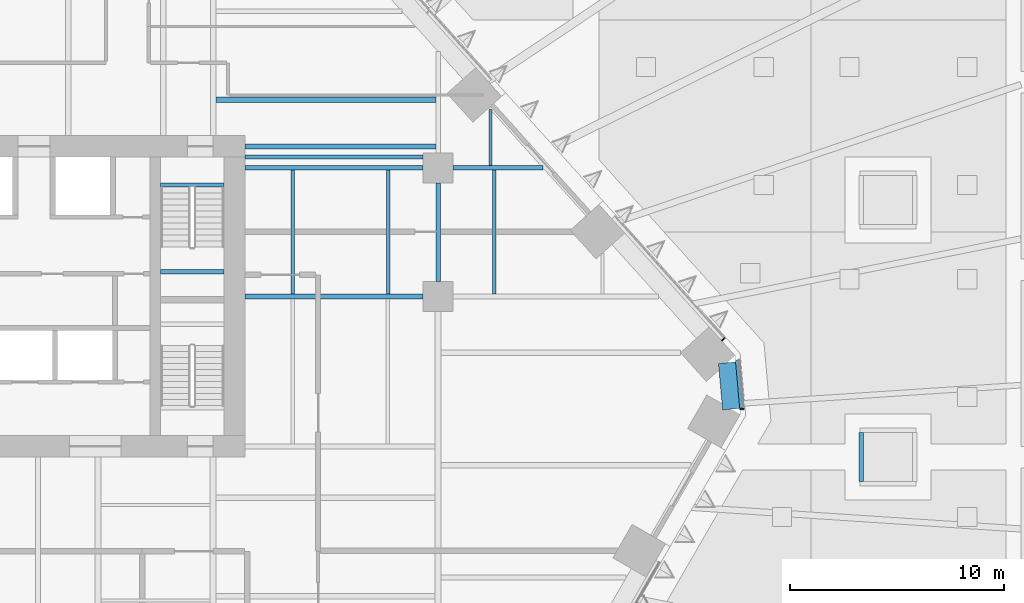
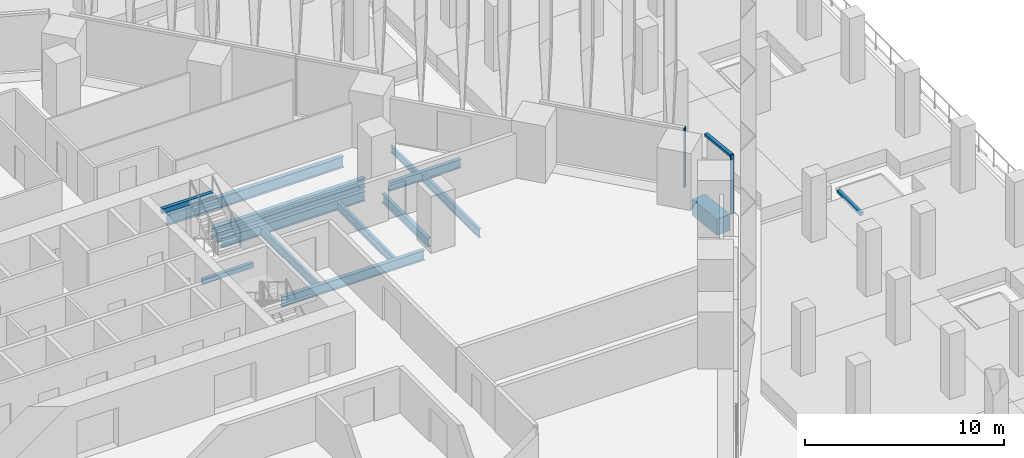
# One storey, part 15 of 51: 14 beams, 4 members, 2 elements without a shape of their own.
"""IFC4 building model written with IfcOpenShell, lengths in metres."""

from ifc_helpers import new_model, si_unit, direction, frame, origin, origin_2d, place, context, subcontext, project, spatial, rectangle, i_section, extrude, material, layer, layer_set, material_profile, profile_set, type_object, element, aggregate, save


model = new_model("IFC4")

# Units and contexts
model_context = context("Model", 3, precision=1e-05, world=origin(), true_north=direction((0.0, 1.0)))
body_context = subcontext(model_context, "Body", "Model", "MODEL_VIEW")
ifc_project = project(units=[si_unit("LENGTHUNIT", "METRE"), si_unit("AREAUNIT", "SQUARE_METRE"), si_unit("VOLUMEUNIT", "CUBIC_METRE"), si_unit("PLANEANGLEUNIT", "RADIAN"), si_unit("MASSUNIT", "GRAM", prefix="KILO")], contexts=[model_context])

# Site, building, storey
site_placement = place(None, origin())
site = spatial("IfcSite", under=ifc_project, at=site_placement, CompositionType="ELEMENT")
building_placement = place(site_placement, origin())
building = spatial("IfcBuilding", under=site, at=building_placement, Name="Isthmus Gate Tower", CompositionType="ELEMENT")
storey_placement = place(building_placement, frame((0.0, 0.0, 36.0)))
storey = spatial("IfcBuildingStorey", under=building, at=storey_placement, Name="L06", CompositionType="ELEMENT", Elevation=36.0)

# Curtain wall, member
ifc_material_1 = material(Name="Aluminium, pale champagne anodised", Category="aluminium")
ifc_layer = layer(ifc_material_1, 0.199951171875)
ifc_layer_set = layer_set([ifc_layer], Name="CW-1 UNITISED CURTAIN WALL 200 DEEP")
curtain_wall_type = type_object("IfcCurtainWallType", Name="CW-1 UNITISED CURTAIN WALL 200 DEEP", PredefinedType="NOTDEFINED", material=ifc_layer_set)
curtain_wall_1_placement = place(storey_placement, origin())
curtain_wall_1 = element("IfcCurtainWall", 1, at=curtain_wall_1_placement, inside=storey, type_object=curtain_wall_type, Name="CW-1 SE-NE L06", PredefinedType="NOTDEFINED")
ifc_material_2 = material(Name="Aluminium, pale champagne anodised", Category="aluminium")
ifc_material_profile_1 = material_profile(ifc_material_2, rectangle(XDim=0.06005859375, YDim=0.199951171875, at=origin_2d()), Name="60x200")
ifc_profile_set_1 = profile_set([ifc_material_profile_1], Name="Aluminium, pale champagne anodised")
member_type_1 = type_object("IfcMemberType", Name="CW-1 MULLION 60 X 200", PredefinedType="MULLION", material=ifc_profile_set_1)
member_1_placement = place(storey_placement, frame((38.178955078125, 2.24169921875, 0.0), z_axis=(0.0, 0.0, 1.0), x_axis=(-0.089396669717, 0.995996102123, 0.0)))
member_1 = element("IfcMember", 2, at=member_1_placement, type_object=member_type_1, Name="CW-1 mullion", PredefinedType="MULLION", context=body_context, shape_type="SweptSolid", body=[
    extrude(rectangle(XDim=0.06005859375, YDim=0.199951171875, at=origin_2d()), origin(), (0.0, 0.0, 1.0), 3.64990234375),
])

curtain_wall_2_placement = place(storey_placement, origin())
curtain_wall_2 = element("IfcCurtainWall", 3, at=curtain_wall_2_placement, inside=storey, type_object=curtain_wall_type, Name="CW-1 NE L06", PredefinedType="NOTDEFINED")
member_2_placement = place(storey_placement, frame((37.306640625, 5.494384765625, 0.0), z_axis=(0.0, 0.0, 1.0), x_axis=(-0.669130606359, 0.743144825477, 0.0)))
member_2 = element("IfcMember", 4, at=member_2_placement, type_object=member_type_1, Name="CW-1 mullion", PredefinedType="MULLION", context=body_context, shape_type="SweptSolid", body=[
    extrude(rectangle(XDim=0.06005859375, YDim=0.199951171875, at=origin_2d()), origin(), (0.0, 0.0, 1.0), 3.64990234375),
])
aggregate(curtain_wall_2, [member_2])

# Member
ifc_material_3 = material(Name="Aluminium, pale champagne anodised", Category="aluminium")
ifc_material_profile_2 = material_profile(ifc_material_3, rectangle(XDim=0.199951171875, YDim=0.14990234375, at=origin_2d()), Name="200x150")
ifc_profile_set_2 = profile_set([ifc_material_profile_2], Name="Aluminium, pale champagne anodised")
member_type_2 = type_object("IfcMemberType", Name="CW-1 TRANSOM 200 X 150", PredefinedType="USERDEFINED", material=ifc_profile_set_2)
member_3_placement = place(storey_placement, frame((38.17626953125, 2.271728515625, 3.574951171875), z_axis=(-0.089395362867, 0.995996219419, 0.0), x_axis=(-0.995996219419, -0.089395362867, 0.0)))
member_3 = element("IfcMember", 5, at=member_3_placement, type_object=member_type_2, Name="CW-1 transom", ObjectType="TRANSOM", PredefinedType="USERDEFINED", context=body_context, shape_type="SweptSolid", body=[
    extrude(rectangle(XDim=0.199951171875, YDim=0.14990234375, at=origin_2d()), origin(), (0.0, 0.0, 1.0), 2.258544921875),
])

aggregate(curtain_wall_1, [member_1, member_3])

# Beam
ifc_material_4 = material(Name="Concrete f'c 70 MPa", Category="concrete")
ifc_material_profile_3 = material_profile(ifc_material_4, rectangle(XDim=0.800048828125, YDim=1.0, at=origin_2d()), Name="RC 800X1000")
ifc_profile_set_3 = profile_set([ifc_material_profile_3], Name="Concrete f'c 70 MPa")
beam_type_1 = type_object("IfcBeamType", Name="RC SPANDREL 800 X 1000", PredefinedType="SPANDREL", material=ifc_profile_set_3)
beam_1_placement = place(storey_placement, frame((37.483154296875, 4.40185546875, -0.5), z_axis=(0.089421511639, -0.995993872098, 0.0), x_axis=(0.995993872098, 0.089421511639, 0.0)))
element("IfcBeam", 6, at=beam_1_placement, inside=storey, type_object=beam_type_1, Name="str-spandrel-L06-05", PredefinedType="SPANDREL", context=body_context, shape_type="SweptSolid", body=[
    extrude(rectangle(XDim=0.800048828125, YDim=1.0, at=origin_2d()), origin(), (0.0, 0.0, 1.0), 2.17333984375),
])

# Member
ifc_material_5 = material(Name="Concrete C30/37", Category="concrete")
ifc_material_profile_4 = material_profile(ifc_material_5, rectangle(XDim=0.199951171875, YDim=0.199951171875, at=origin_2d()), Name="200x200")
ifc_profile_set_4 = profile_set([ifc_material_profile_4], Name="Concrete C30/37")
member_type_3 = type_object("IfcMemberType", Name="SKYLIGHT KERB 200 X 200", PredefinedType="USERDEFINED", material=ifc_profile_set_4)
member_4_placement = place(storey_placement, frame((43.75, -1.14990234375, 0.10009765625), z_axis=(0.0, 1.0, 0.0), x_axis=(-1.0, 0.0, 0.0)))
element("IfcMember", 7, at=member_4_placement, inside=storey, type_object=member_type_3, Name="Skylight kerb", ObjectType="KERB", PredefinedType="USERDEFINED", context=body_context, shape_type="SweptSolid", body=[
    extrude(rectangle(XDim=0.199951171875, YDim=0.199951171875, at=origin_2d()), origin(), (0.0, 0.0, 1.0), 2.2998046875),
])

# Beams
ifc_material_6 = material(Name="Concrete f'c 40 MPa", Category="concrete")
ifc_material_profile_5 = material_profile(ifc_material_6, rectangle(XDim=0.199951171875, YDim=0.300048828125, at=origin_2d()), Name="STAIR LANDING BEAM RC 200 X 300")
ifc_profile_set_5 = profile_set([ifc_material_profile_5], Name="Concrete f'c 40 MPa")
beam_type_2 = type_object("IfcBeamType", Name="STAIR LANDING BEAM RC 200 X 300", PredefinedType="BEAM", material=ifc_profile_set_5)
for number, where, z_axis, x_axis, name in (
    (8, (11.050048828125, 8.64990234375, 1.47509765625), (1.0, 0.0, 0.0), (0.0, 1.0, 0.0), "L06 ST2 landing beam 1"),
    (9, (11.050048828125, 12.7001953125, 3.35009765625), (1.0, 0.0, 0.0), (0.0, 1.0, 0.0), "L06 ST2 floor-edge seat beam"),
):
    element("IfcBeam", number, at=place(storey_placement, frame(where, z_axis=z_axis, x_axis=x_axis)), inside=storey, type_object=beam_type_2, Name=name, PredefinedType="BEAM", context=body_context, shape_type="SweptSolid", body=[
        extrude(rectangle(XDim=0.199951171875, YDim=0.300048828125, at=origin_2d()), origin(), (0.0, 0.0, 1.0), 2.949951171875),
    ])
ifc_material_7 = material(Name="Structural steel ASTM A992 Gr 50", Category="steel")
ifc_material_profile_6 = material_profile(ifc_material_7, i_section(OverallWidth=0.1396484375, OverallDepth=0.4033203125, WebThickness=0.00634765625, FlangeThickness=0.010986328125, at=origin_2d()), Name="W16X31")
ifc_profile_set_6 = profile_set([ifc_material_profile_6], Name="Structural steel ASTM A992 Gr 50")
beam_type_3 = type_object("IfcBeamType", Name="STEEL FLOOR BEAM W16X31", PredefinedType="JOIST", material=ifc_profile_set_6)
beam_2_placement = place(storey_placement, frame((26.448974609375, 13.604736328125, -0.3515625), z_axis=(0.0, 1.0, 0.0), x_axis=(-1.0, 0.0, 0.0)))
element("IfcBeam", 10, at=beam_2_placement, inside=storey, type_object=beam_type_3, Name="str-beam-L06-32-00", PredefinedType="JOIST", context=body_context, shape_type="SweptSolid", body=[
    extrude(i_section(OverallWidth=0.1396484375, OverallDepth=0.4033203125, WebThickness=0.00634765625, FlangeThickness=0.010986328125, at=origin_2d()), origin(), (0.0, 0.0, 1.0), 2.603515625),
])
ifc_material_8 = material(Name="Structural steel ASTM A992 Gr 50", Category="steel")
ifc_material_profile_7 = material_profile(ifc_material_8, i_section(OverallWidth=0.1650390625, OverallDepth=0.52392578125, WebThickness=0.009521484375, FlangeThickness=0.010986328125, at=origin_2d()), Name="W21X44")
ifc_profile_set_7 = profile_set([ifc_material_profile_7], Name="Structural steel ASTM A992 Gr 50")
beam_type_4 = type_object("IfcBeamType", Name="STEEL FLOOR BEAM W21X44", PredefinedType="JOIST", material=ifc_profile_set_7)
for number, where, z_axis, x_axis, name in (
    (11, (17.223876953125, 7.6142578125, -0.411865234375), (0.0, 1.0, 0.0), (-1.0, 0.0, 0.0), "str-beam-L06-30-00"),
    (12, (21.67138671875, 7.6142578125, -0.411865234375), (0.0, 1.0, 0.0), (-1.0, 0.0, 0.0), "str-beam-L06-30-01"),
):
    element("IfcBeam", number, at=place(storey_placement, frame(where, z_axis=z_axis, x_axis=x_axis)), inside=storey, type_object=beam_type_4, Name=name, PredefinedType="JOIST", context=body_context, shape_type="SweptSolid", body=[
        extrude(i_section(OverallWidth=0.1650390625, OverallDepth=0.52392578125, WebThickness=0.009521484375, FlangeThickness=0.010986328125, at=origin_2d()), origin(), (0.0, 0.0, 1.0), 5.771484375),
    ])
beam_3_placement = place(storey_placement, frame((26.625244140625, 7.6142578125, -0.411865234375), z_axis=(0.0, 1.0, 0.0), x_axis=(-1.0, 0.0, 0.0)))
element("IfcBeam", 13, at=beam_3_placement, inside=storey, type_object=beam_type_4, Name="str-beam-L06-33-00", PredefinedType="JOIST", context=body_context, shape_type="SweptSolid", body=[
    extrude(i_section(OverallWidth=0.1650390625, OverallDepth=0.52392578125, WebThickness=0.009521484375, FlangeThickness=0.010986328125, at=origin_2d()), origin(), (0.0, 0.0, 1.0), 5.781005859375),
])
ifc_material_9 = material(Name="Structural steel ASTM A992 Gr 50", Category="steel")
ifc_material_profile_8 = material_profile(ifc_material_9, i_section(OverallWidth=0.177734375, OverallDepth=0.60009765625, WebThickness=0.009521484375, FlangeThickness=0.0126953125, at=origin_2d()), Name="W24X55")
ifc_profile_set_8 = profile_set([ifc_material_profile_8], Name="Structural steel ASTM A992 Gr 50")
beam_type_5 = type_object("IfcBeamType", Name="STEEL FLOOR BEAM W24X55", PredefinedType="JOIST", material=ifc_profile_set_8)
beam_4_placement = place(storey_placement, frame((15.0, 14.0, -0.449951171875), z_axis=(1.0, 0.0, 0.0), x_axis=(0.0, 1.0, 0.0)))
element("IfcBeam", 14, at=beam_4_placement, inside=storey, type_object=beam_type_5, Name="str-beam-L06-29-00", PredefinedType="JOIST", context=body_context, shape_type="SweptSolid", body=[
    extrude(i_section(OverallWidth=0.177734375, OverallDepth=0.60009765625, WebThickness=0.009521484375, FlangeThickness=0.0126953125, at=origin_2d()), origin(), (0.0, 0.0, 1.0), 8.300048828125),
])
ifc_material_10 = material(Name="Structural steel ASTM A992 Gr 50", Category="steel")
ifc_material_profile_9 = material_profile(ifc_material_10, i_section(OverallWidth=0.25390625, OverallDepth=0.679443359375, WebThickness=0.010986328125, FlangeThickness=0.015869140625, at=origin_2d()), Name="W27X84")
ifc_profile_set_9 = profile_set([ifc_material_profile_9], Name="Structural steel ASTM A992 Gr 50")
beam_type_6 = type_object("IfcBeamType", Name="STEEL FLOOR BEAM W27X84", PredefinedType="JOIST", material=ifc_profile_set_9)
beam_5_placement = place(storey_placement, frame((13.626953125, 16.678466796875, -0.48974609375), z_axis=(1.0, 0.0, 0.0), x_axis=(0.0, 1.0, 0.0)))
element("IfcBeam", 15, at=beam_5_placement, inside=storey, type_object=beam_type_6, Name="str-beam-L06-26-00", PredefinedType="JOIST", context=body_context, shape_type="SweptSolid", body=[
    extrude(i_section(OverallWidth=0.25390625, OverallDepth=0.679443359375, WebThickness=0.010986328125, FlangeThickness=0.015869140625, at=origin_2d()), origin(), (0.0, 0.0, 1.0), 10.268310546875),
])
ifc_material_11 = material(Name="Structural steel ASTM A992 Gr 50", Category="steel")
ifc_material_profile_10 = material_profile(ifc_material_11, i_section(OverallWidth=0.20947265625, OverallDepth=0.533447265625, WebThickness=0.009521484375, FlangeThickness=0.015869140625, at=origin_2d()), Name="W21X62")
ifc_profile_set_10 = profile_set([ifc_material_profile_10], Name="Structural steel ASTM A992 Gr 50")
beam_type_7 = type_object("IfcBeamType", Name="STEEL GIRDER W21X62", PredefinedType="BEAM", material=ifc_profile_set_10)
beam_6_placement = place(storey_placement, frame((24.699951171875, 13.5, -0.416748046875), z_axis=(1.0, 0.0, 0.0), x_axis=(0.0, 1.0, 0.0)))
element("IfcBeam", 16, at=beam_6_placement, inside=storey, type_object=beam_type_7, Name="str-girder-L06-15", PredefinedType="BEAM", context=body_context, shape_type="SweptSolid", body=[
    extrude(i_section(OverallWidth=0.20947265625, OverallDepth=0.533447265625, WebThickness=0.009521484375, FlangeThickness=0.015869140625, at=origin_2d()), origin(), (0.0, 0.0, 1.0), 4.187255859375),
])
beam_7_placement = place(storey_placement, frame((24.0, 8.199951171875, -0.416748046875), z_axis=(0.0, 1.0, 0.0), x_axis=(-1.0, 0.0, 0.0)))
element("IfcBeam", 17, at=beam_7_placement, inside=storey, type_object=beam_type_7, Name="str-girder-L06-36", PredefinedType="BEAM", context=body_context, shape_type="SweptSolid", body=[
    extrude(i_section(OverallWidth=0.20947265625, OverallDepth=0.533447265625, WebThickness=0.009521484375, FlangeThickness=0.015869140625, at=origin_2d()), origin(), (0.0, 0.0, 1.0), 4.60009765625),
])
ifc_material_12 = material(Name="Structural steel ASTM A992 Gr 50", Category="steel")
ifc_material_profile_11 = material_profile(ifc_material_12, i_section(OverallWidth=0.228515625, OverallDepth=0.6064453125, WebThickness=0.010986328125, FlangeThickness=0.017578125, at=origin_2d()), Name="W24X76")
ifc_profile_set_11 = profile_set([ifc_material_profile_11], Name="Structural steel ASTM A992 Gr 50")
beam_type_8 = type_object("IfcBeamType", Name="STEEL GIRDER W24X76", PredefinedType="BEAM", material=ifc_profile_set_11)
for number, where, z_axis, x_axis, name in (
    (18, (15.0, 7.5, -0.453125), (1.0, 0.0, 0.0), (0.0, 1.0, 0.0), "str-girder-L06-11"),
    (19, (15.0, 13.5, -0.453125), (1.0, 0.0, 0.0), (0.0, 1.0, 0.0), "str-girder-L06-14"),
):
    element("IfcBeam", number, at=place(storey_placement, frame(where, z_axis=z_axis, x_axis=x_axis)), inside=storey, type_object=beam_type_8, Name=name, PredefinedType="BEAM", context=body_context, shape_type="SweptSolid", body=[
        extrude(i_section(OverallWidth=0.228515625, OverallDepth=0.6064453125, WebThickness=0.010986328125, FlangeThickness=0.017578125, at=origin_2d()), origin(), (0.0, 0.0, 1.0), 8.300048828125),
    ])
beam_8_placement = place(storey_placement, frame((15.0, 14.5, -0.453125), z_axis=(1.0, 0.0, 0.0), x_axis=(0.0, 1.0, 0.0)))
element("IfcBeam", 20, at=beam_8_placement, inside=storey, type_object=beam_type_8, Name="str-girder-L06-41", PredefinedType="BEAM", context=body_context, shape_type="SweptSolid", body=[
    extrude(i_section(OverallWidth=0.228515625, OverallDepth=0.6064453125, WebThickness=0.010986328125, FlangeThickness=0.017578125, at=origin_2d()), origin(), (0.0, 0.0, 1.0), 8.895263671875),
])

save(model, "model.ifc")
